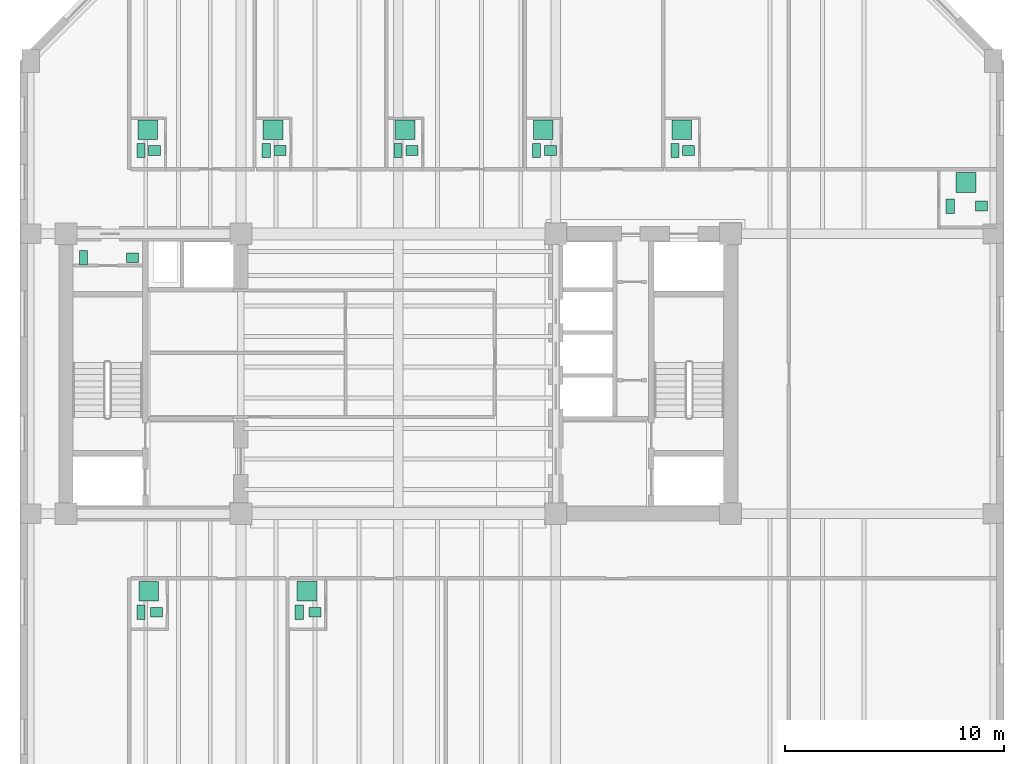
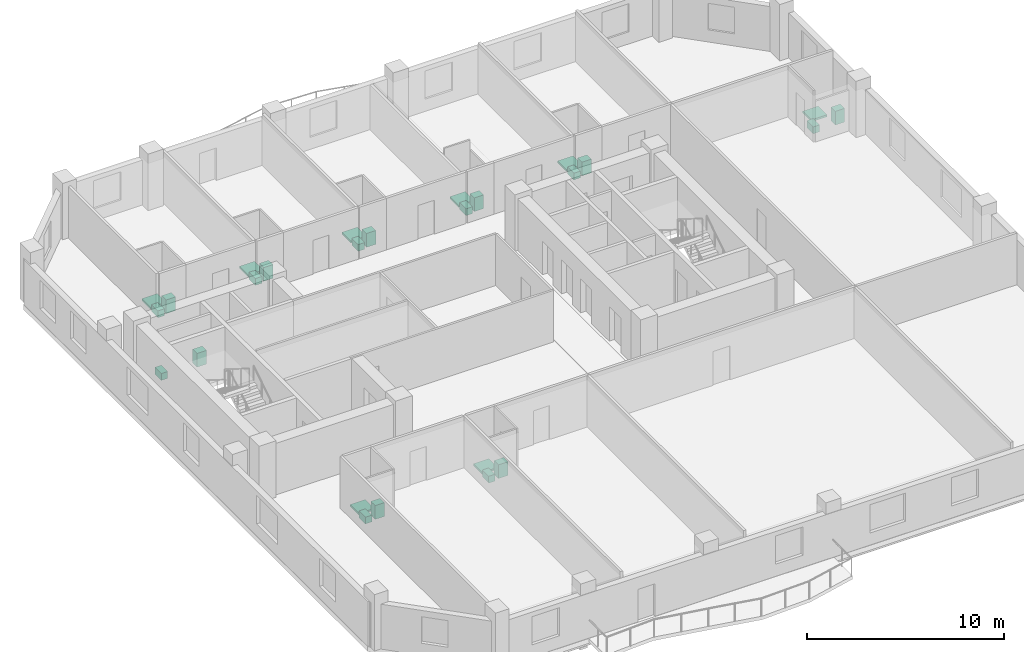
# One storey, part 10 of 10: 26 sanitary terminals.
"""IFC4 building model written with IfcOpenShell, lengths in metres."""

from ifc_helpers import new_model, si_unit, direction, frame, origin, origin_2d, place, context, subcontext, project, spatial, rectangle, extrude, material, type_object, element, save


model = new_model("IFC4")

# Units and contexts
model_context = context("Model", 3, precision=1e-05, world=origin(), true_north=direction((0.0, 1.0)))
body_context = subcontext(model_context, "Body", "Model", "MODEL_VIEW")
ifc_project = project(units=[si_unit("LENGTHUNIT", "METRE"), si_unit("AREAUNIT", "SQUARE_METRE"), si_unit("VOLUMEUNIT", "CUBIC_METRE"), si_unit("PLANEANGLEUNIT", "RADIAN"), si_unit("MASSUNIT", "GRAM", prefix="KILO")], contexts=[model_context])

# Site, building, storey
site_placement = place(None, origin())
site = spatial("IfcSite", under=ifc_project, at=site_placement, CompositionType="ELEMENT")
building_placement = place(site_placement, origin())
building = spatial("IfcBuilding", under=site, at=building_placement, Name="Kranthara Brick Stack", CompositionType="ELEMENT")
storey_placement = place(building_placement, frame((0.0, 0.0, 144.800048828125)))
storey = spatial("IfcBuildingStorey", under=building, at=storey_placement, Name="L36", CompositionType="ELEMENT", Elevation=144.800048828125)

# Sanitary terminals
ifc_material_1 = material(Name="Vitreous china sanitary porcelain", Category="other")
sanitary_terminal_type_1 = type_object("IfcSanitaryTerminalType", Name="SAN-BASIN", PredefinedType="WASHHANDBASIN", material=ifc_material_1)
for number, where, z_axis, x_axis, name in (
    (1, (15.85009765625, 32.5048828125, 0.0), (0.0, 0.0, 1.0), (1.0, 0.0, 0.0), "L36 Washbasin 156"),
    (2, (16.947021484375, 16.294921875, 0.0), (0.0, 0.0, 1.0), (1.0, 0.0, 0.0), "L36 Washbasin 157"),
    (3, (24.18310546875, 16.294921875, 0.0), (0.0, 0.0, 1.0), (1.0, 0.0, 0.0), "L36 Washbasin 158"),
    (4, (16.860107421875, 37.405029296875, 0.0), (0.0, 0.0, 1.0), (1.0, 0.0, 0.0), "L36 Washbasin 159"),
    (5, (22.587890625, 37.405029296875, 0.0), (0.0, 0.0, 1.0), (1.0, 0.0, 0.0), "L36 Washbasin 160"),
    (6, (28.618896484375, 37.405029296875, 0.0), (0.0, 0.0, 1.0), (1.0, 0.0, 0.0), "L36 Washbasin 161"),
    (7, (34.949951171875, 37.405029296875, 0.0), (0.0, 0.0, 1.0), (1.0, 0.0, 0.0), "L36 Washbasin 162"),
    (8, (41.281005859375, 37.405029296875, 0.0), (0.0, 0.0, 1.0), (1.0, 0.0, 0.0), "L36 Washbasin 163"),
    (9, (54.679931640625, 34.864990234375, 0.0), (0.0, 0.0, 1.0), (1.0, 0.0, 0.0), "L36 Washbasin 164"),
):
    element("IfcSanitaryTerminal", number, at=place(storey_placement, frame(where, z_axis=z_axis, x_axis=x_axis)), inside=storey, type_object=sanitary_terminal_type_1, Name=name, PredefinedType="WASHHANDBASIN", context=body_context, shape_type="SweptSolid", body=[
        extrude(rectangle(XDim=0.550048828125, YDim=0.449951171875, at=origin_2d()), origin(), (0.0, 0.0, 1.0), 0.85009765625),
    ])
ifc_material_2 = material(Name="Acrylic and porcelain shower tray", Category="other")
sanitary_terminal_type_2 = type_object("IfcSanitaryTerminalType", Name="SAN-SHOWER", PredefinedType="SHOWER", material=ifc_material_2)
for number, where, z_axis, x_axis, name in (
    (10, (16.587890625, 17.25, 0.0), (0.0, 0.0, 1.0), (1.0, 0.0, 0.0), "L36 Shower Tray 157"),
    (11, (23.823974609375, 17.25, 0.0), (0.0, 0.0, 1.0), (1.0, 0.0, 0.0), "L36 Shower Tray 158"),
    (12, (16.544921875, 38.360107421875, 0.0), (0.0, 0.0, 1.0), (1.0, 0.0, 0.0), "L36 Shower Tray 159"),
    (13, (22.27294921875, 38.360107421875, 0.0), (0.0, 0.0, 1.0), (1.0, 0.0, 0.0), "L36 Shower Tray 160"),
    (14, (28.303955078125, 38.360107421875, 0.0), (0.0, 0.0, 1.0), (1.0, 0.0, 0.0), "L36 Shower Tray 161"),
    (15, (34.635009765625, 38.360107421875, 0.0), (0.0, 0.0, 1.0), (1.0, 0.0, 0.0), "L36 Shower Tray 162"),
    (16, (40.966064453125, 38.360107421875, 0.0), (0.0, 0.0, 1.0), (1.0, 0.0, 0.0), "L36 Shower Tray 163"),
    (17, (53.9599609375, 35.949951171875, 0.0), (0.0, 0.0, 1.0), (1.0, 0.0, 0.0), "L36 Shower Tray 164"),
):
    element("IfcSanitaryTerminal", number, at=place(storey_placement, frame(where, z_axis=z_axis, x_axis=x_axis)), inside=storey, type_object=sanitary_terminal_type_2, Name=name, PredefinedType="SHOWER", context=body_context, shape_type="SweptSolid", body=[
        extrude(rectangle(XDim=0.89990234375, YDim=0.89990234375, at=origin_2d()), origin(), (0.0, 0.0, 1.0), 0.1201171875),
    ])
ifc_material_3 = material(Name="Vitreous china sanitary porcelain", Category="other")
sanitary_terminal_type_3 = type_object("IfcSanitaryTerminalType", Name="SAN-WC-PAN", PredefinedType="TOILETPAN", material=ifc_material_3)
for number, where, z_axis, x_axis, name in (
    (18, (13.60009765625, 32.5048828125, 0.0), (0.0, 0.0, 1.0), (1.0, 0.0, 0.0), "L36 WC Pan 156"),
    (19, (16.22998046875, 16.294921875, 0.0), (0.0, 0.0, 1.0), (1.0, 0.0, 0.0), "L36 WC Pan 157"),
    (20, (23.466064453125, 16.294921875, 0.0), (0.0, 0.0, 1.0), (1.0, 0.0, 0.0), "L36 WC Pan 158"),
    (21, (16.22998046875, 37.405029296875, 0.0), (0.0, 0.0, 1.0), (1.0, 0.0, 0.0), "L36 WC Pan 159"),
    (22, (21.9580078125, 37.405029296875, 0.0), (0.0, 0.0, 1.0), (1.0, 0.0, 0.0), "L36 WC Pan 160"),
    (23, (27.989013671875, 37.405029296875, 0.0), (0.0, 0.0, 1.0), (1.0, 0.0, 0.0), "L36 WC Pan 161"),
    (24, (34.320068359375, 37.405029296875, 0.0), (0.0, 0.0, 1.0), (1.0, 0.0, 0.0), "L36 WC Pan 162"),
    (25, (40.65087890625, 37.405029296875, 0.0), (0.0, 0.0, 1.0), (1.0, 0.0, 0.0), "L36 WC Pan 163"),
    (26, (53.239990234375, 34.864990234375, 0.0), (0.0, 0.0, 1.0), (1.0, 0.0, 0.0), "L36 WC Pan 164"),
):
    element("IfcSanitaryTerminal", number, at=place(storey_placement, frame(where, z_axis=z_axis, x_axis=x_axis)), inside=storey, type_object=sanitary_terminal_type_3, Name=name, PredefinedType="TOILETPAN", context=body_context, shape_type="SweptSolid", body=[
        extrude(rectangle(XDim=0.3798828125, YDim=0.64990234375, at=origin_2d()), origin(), (0.0, 0.0, 1.0), 0.419921875),
    ])

save(model, "model.ifc")
